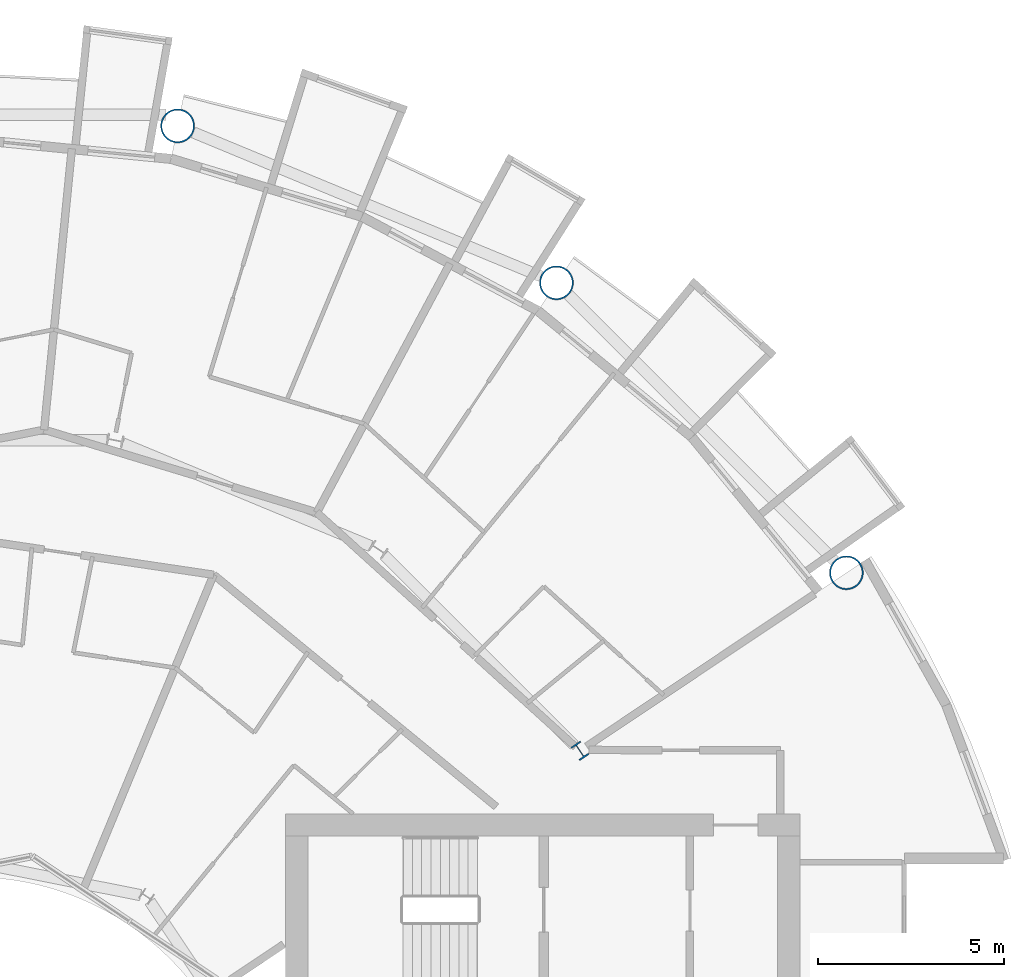
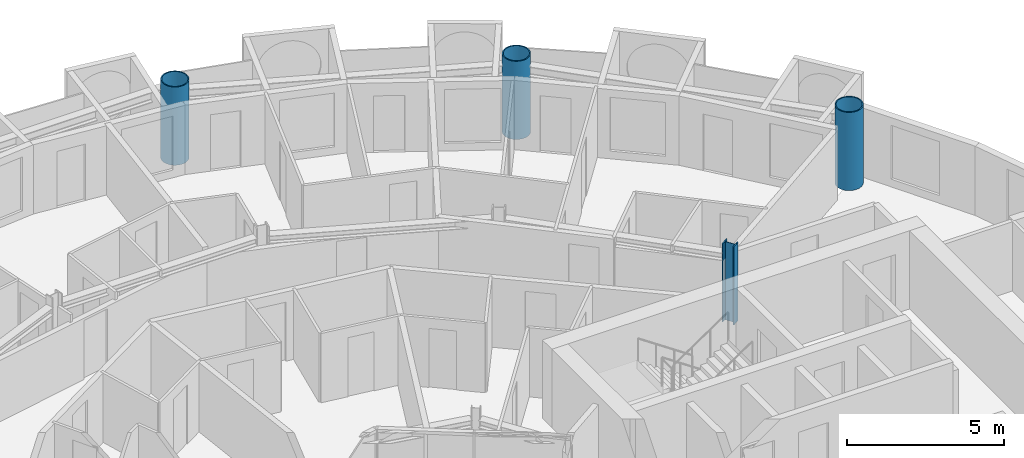
# One storey, part 4 of 28: 4 columns.
"""IFC4 building model written with IfcOpenShell, lengths in metres."""

from ifc_helpers import new_model, si_unit, direction, frame, origin, origin_2d, place, context, subcontext, project, spatial, hollow_circle, i_section, extrude, material, material_profile, profile_set, type_object, element, save


model = new_model("IFC4")

# Units and contexts
model_context = context("Model", 3, precision=1e-05, world=origin(), true_north=direction((0.0, 1.0)))
body_context = subcontext(model_context, "Body", "Model", "MODEL_VIEW")
ifc_project = project(units=[si_unit("LENGTHUNIT", "METRE"), si_unit("AREAUNIT", "SQUARE_METRE"), si_unit("VOLUMEUNIT", "CUBIC_METRE"), si_unit("PLANEANGLEUNIT", "RADIAN"), si_unit("MASSUNIT", "GRAM", prefix="KILO")], contexts=[model_context])

# Site, building, storey
site_placement = place(None, origin())
site = spatial("IfcSite", under=ifc_project, at=site_placement, CompositionType="ELEMENT")
building_placement = place(site_placement, origin())
building = spatial("IfcBuilding", under=site, at=building_placement, Name="Maasbend Ring Residences", CompositionType="ELEMENT")
storey_placement = place(building_placement, frame((0.0, 0.0, 129.949951171875)))
storey = spatial("IfcBuildingStorey", under=building, at=storey_placement, Name="L37", CompositionType="ELEMENT", Elevation=129.949951171875)

# Columns
ifc_material_1 = material(Name="Composite concrete-filled steel tube S460NH / C80/95", Category="concrete")
ifc_material_profile_1 = material_profile(ifc_material_1, hollow_circle(Radius=0.45703125, WallThickness=0.0400390625, at=origin_2d()), Name="Composite tube column CHS 914x40")
ifc_profile_set_1 = profile_set([ifc_material_profile_1], Name="Composite concrete-filled steel tube S460NH / C80/95")
column_type_1 = type_object("IfcColumnType", Name="Composite tube column CHS 914x40", PredefinedType="COLUMN", material=ifc_profile_set_1)
for number, where, z_axis, x_axis, name in (
    (1, (23.447509765625, 15.6669921875, 0.0), (0.0, 0.0, 1.0), (1.0, 0.0, 0.0), "Outer column R2"),
    (2, (15.6669921875, 23.447509765625, 0.0), (0.0, 0.0, 1.0), (1.0, 0.0, 0.0), "Outer column R3"),
    (3, (5.50146484375, 27.658203125, 0.0), (0.0, 0.0, 1.0), (1.0, 0.0, 0.0), "Outer column R4"),
):
    element("IfcColumn", number, at=place(storey_placement, frame(where, z_axis=z_axis, x_axis=x_axis)), inside=storey, type_object=column_type_1, Name=name, PredefinedType="COLUMN", context=body_context, shape_type="SweptSolid", body=[
        extrude(hollow_circle(Radius=0.45703125, WallThickness=0.0400390625, at=origin_2d()), origin(), (0.0, 0.0, 1.0), 3.050048828125),
    ])
ifc_material_2 = material(Name="Steel S460M", Category="steel")
ifc_material_profile_2 = material_profile(ifc_material_2, i_section(OverallWidth=0.306884765625, OverallDepth=0.431884765625, WebThickness=0.02099609375, FlangeThickness=0.0400390625, FilletRadius=0.027099609375, at=origin_2d()), Name="HEM 400")
ifc_profile_set_2 = profile_set([ifc_material_profile_2], Name="Steel S460M")
column_type_2 = type_object("IfcColumnType", Name="Steel column HEM 400", PredefinedType="COLUMN", material=ifc_profile_set_2)
column_placement = place(storey_placement, frame((16.296875, 10.88916015625, 0.0), z_axis=(0.0, 0.0, 1.0), x_axis=(0.831469612303, 0.55557023302, 0.0)))
element("IfcColumn", 4, at=column_placement, inside=storey, type_object=column_type_2, Name="Corridor ring column R2", PredefinedType="COLUMN", context=body_context, shape_type="SweptSolid", body=[
    extrude(i_section(OverallWidth=0.306884765625, OverallDepth=0.431884765625, WebThickness=0.02099609375, FlangeThickness=0.0400390625, FilletRadius=0.027099609375, at=origin_2d()), origin(), (0.0, 0.0, 1.0), 3.050048828125),
])

save(model, "model.ifc")
